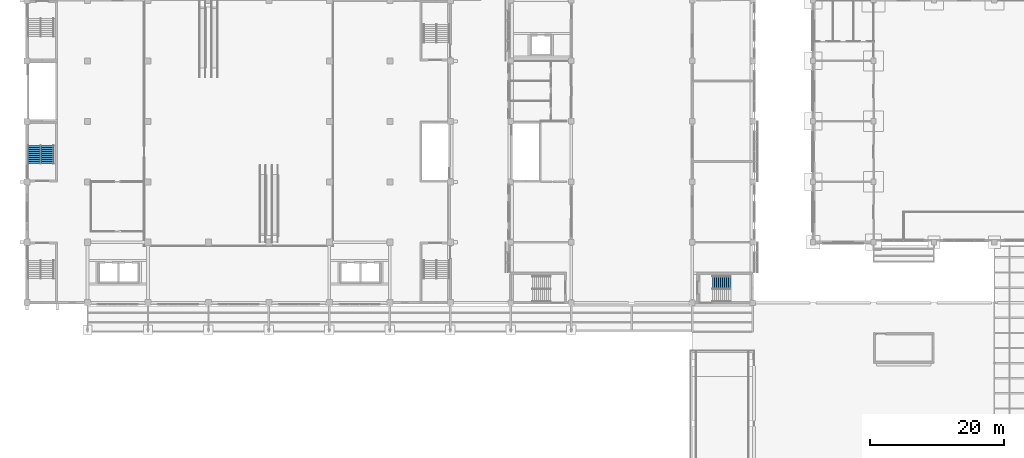
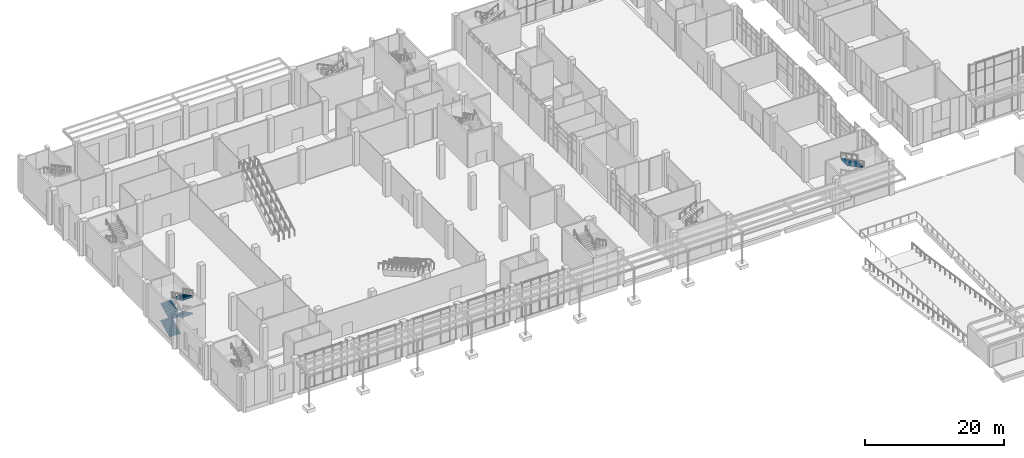
# One storey, part 70 of 86: 5 stair flights, 2 elements without a shape of their own.
"""IFC4 building model written with IfcOpenShell, lengths in metres."""

from ifc_helpers import new_model, si_unit, direction, frame, origin, place, context, subcontext, project, spatial, faceted_brep, material, type_object, element, aggregate, save


model = new_model("IFC4")

# Units and contexts
model_context = context("Model", 3, precision=1e-05, world=origin(), true_north=direction((0.0, 1.0)))
body_context = subcontext(model_context, "Body", "Model", "MODEL_VIEW")
ifc_project = project(units=[si_unit("LENGTHUNIT", "METRE"), si_unit("AREAUNIT", "SQUARE_METRE"), si_unit("VOLUMEUNIT", "CUBIC_METRE"), si_unit("PLANEANGLEUNIT", "RADIAN"), si_unit("MASSUNIT", "GRAM", prefix="KILO")], contexts=[model_context])

# Site, building, storey
site_placement = place(None, origin())
site = spatial("IfcSite", under=ifc_project, at=site_placement, CompositionType="ELEMENT")
building_placement = place(site_placement, origin())
building = spatial("IfcBuilding", under=site, at=building_placement, Name="Guidao Yard Department Store", CompositionType="ELEMENT")
storey_placement = place(building_placement, origin())
storey = spatial("IfcBuildingStorey", under=building, at=storey_placement, Name="L00", CompositionType="ELEMENT", Elevation=0.0)

# Stair, stair flights
ifc_material_1 = material(Name="Concrete C35", Category="concrete")
stair_type = type_object("IfcStairType", Name="Stair double-return four-flight 1800 wide 6.0 m rise", PredefinedType="DOUBLE_RETURN_STAIR", material=ifc_material_1)
stair_1_placement = place(storey_placement, origin())
stair_1 = element("IfcStair", 1, at=stair_1_placement, inside=storey, type_object=stair_type, Name="Stair A1 L00 to L01", PredefinedType="DOUBLE_RETURN_STAIR")
ifc_material_2 = material(Name="Concrete C35", Category="concrete")
stair_flight_type = type_object("IfcStairFlightType", Name="Stair flight RC straight 1800 wide 10 risers x 300 going C35", PredefinedType="STRAIGHT", material=ifc_material_2)
stair_flight_1_placement = place(storey_placement, frame((1.02490234375, 65.699951171875, 0.0), z_axis=(0.0, 0.0, 1.0), x_axis=(0.0, 1.0, 0.0)))
stair_flight_1 = element("IfcStairFlight", 2, at=stair_flight_1_placement, type_object=stair_flight_type, Name="SA1-L00 flight 1", NumberOfRisers=10, NumberOfTreads=9, PredefinedType="STRAIGHT", RiserHeight=0.15, TreadLength=0.3, context=body_context, shape_type="Brep", body=[
    faceted_brep([(0.0, 0.89990234375, 0.0), (0.0, 0.89990234375, 0.14990234375), (0.300048828125, 0.89990234375, 0.14990234375), (0.300048828125, 0.89990234375, 0.300048828125), (0.60009765625, 0.89990234375, 0.300048828125), (0.60009765625, 0.89990234375, 0.449951171875), (0.89990234375, 0.89990234375, 0.449951171875), (0.89990234375, 0.89990234375, 0.60009765625), (1.199951171875, 0.89990234375, 0.60009765625), (1.199951171875, 0.89990234375, 0.75), (1.5, 0.89990234375, 0.75), (1.5, 0.89990234375, 0.89990234375), (1.800048828125, 0.89990234375, 0.89990234375), (1.800048828125, 0.89990234375, 1.050048828125), (2.10009765625, 0.89990234375, 1.050048828125), (2.10009765625, 0.89990234375, 1.199951171875), (2.39990234375, 0.89990234375, 1.199951171875), (2.39990234375, 0.89990234375, 1.35009765625), (2.699951171875, 0.89990234375, 1.35009765625), (2.699951171875, 0.89990234375, 1.182373046875), (0.335205078125, 0.89990234375, 0.0), (0.335205078125, -0.89990234375, 0.0), (2.699951171875, -0.89990234375, 1.182373046875), (2.699951171875, -0.89990234375, 1.35009765625), (2.39990234375, -0.89990234375, 1.35009765625), (2.39990234375, -0.89990234375, 1.199951171875), (2.10009765625, -0.89990234375, 1.199951171875), (2.10009765625, -0.89990234375, 1.050048828125), (1.800048828125, -0.89990234375, 1.050048828125), (1.800048828125, -0.89990234375, 0.89990234375), (1.5, -0.89990234375, 0.89990234375), (1.5, -0.89990234375, 0.75), (1.199951171875, -0.89990234375, 0.75), (1.199951171875, -0.89990234375, 0.60009765625), (0.89990234375, -0.89990234375, 0.60009765625), (0.89990234375, -0.89990234375, 0.449951171875), (0.60009765625, -0.89990234375, 0.449951171875), (0.60009765625, -0.89990234375, 0.300048828125), (0.300048828125, -0.89990234375, 0.300048828125), (0.300048828125, -0.89990234375, 0.14990234375), (0.0, -0.89990234375, 0.14990234375), (0.0, -0.89990234375, 0.0), (0.0, 0.300048828125, 0.0), (0.0, 0.300048828125, 0.14990234375), (0.0, -0.300048828125, 0.0), (0.0, -0.300048828125, 0.14990234375), (0.300048828125, 0.300048828125, 0.14990234375), (0.300048828125, -0.300048828125, 0.14990234375), (0.300048828125, 0.300048828125, 0.300048828125), (0.300048828125, -0.300048828125, 0.300048828125), (0.60009765625, 0.300048828125, 0.300048828125), (0.60009765625, -0.300048828125, 0.300048828125), (0.60009765625, 0.300048828125, 0.449951171875), (0.60009765625, -0.300048828125, 0.449951171875), (0.89990234375, 0.300048828125, 0.449951171875), (0.89990234375, -0.300048828125, 0.449951171875), (0.89990234375, 0.300048828125, 0.60009765625), (0.89990234375, -0.300048828125, 0.60009765625), (1.199951171875, 0.300048828125, 0.60009765625), (1.199951171875, -0.300048828125, 0.60009765625), (1.199951171875, 0.300048828125, 0.75), (1.199951171875, -0.300048828125, 0.75), (1.5, 0.300048828125, 0.75), (1.5, -0.300048828125, 0.75), (1.5, 0.300048828125, 0.89990234375), (1.5, -0.300048828125, 0.89990234375), (1.800048828125, 0.300048828125, 0.89990234375), (1.800048828125, -0.300048828125, 0.89990234375), (1.800048828125, 0.300048828125, 1.050048828125), (1.800048828125, -0.300048828125, 1.050048828125), (2.10009765625, 0.300048828125, 1.050048828125), (2.10009765625, -0.300048828125, 1.050048828125), (2.10009765625, 0.300048828125, 1.199951171875), (2.10009765625, -0.300048828125, 1.199951171875), (2.39990234375, 0.300048828125, 1.199951171875), (2.39990234375, -0.300048828125, 1.199951171875), (2.39990234375, 0.300048828125, 1.35009765625), (2.39990234375, -0.300048828125, 1.35009765625), (2.699951171875, 0.300048828125, 1.35009765625), (2.699951171875, -0.300048828125, 1.35009765625), (2.699951171875, 0.300048828125, 1.182373046875), (2.699951171875, -0.300048828125, 1.182373046875), (0.335205078125, 0.300048828125, 0.0), (0.335205078125, -0.300048828125, 0.0)], [[[0, 1, 2, 3, 4, 5, 6, 7, 8, 9, 10, 11, 12, 13, 14, 15, 16, 17, 18, 19, 20]], [[21, 22, 23, 24, 25, 26, 27, 28, 29, 30, 31, 32, 33, 34, 35, 36, 37, 38, 39, 40, 41]], [[42, 43, 1, 0]], [[44, 45, 43, 42]], [[41, 40, 45, 44]], [[43, 46, 2, 1]], [[45, 47, 46, 43]], [[40, 39, 47, 45]], [[46, 48, 3, 2]], [[47, 49, 48, 46]], [[39, 38, 49, 47]], [[48, 50, 4, 3]], [[49, 51, 50, 48]], [[38, 37, 51, 49]], [[50, 52, 5, 4]], [[51, 53, 52, 50]], [[37, 36, 53, 51]], [[52, 54, 6, 5]], [[53, 55, 54, 52]], [[36, 35, 55, 53]], [[54, 56, 7, 6]], [[55, 57, 56, 54]], [[35, 34, 57, 55]], [[56, 58, 8, 7]], [[57, 59, 58, 56]], [[34, 33, 59, 57]], [[58, 60, 9, 8]], [[59, 61, 60, 58]], [[33, 32, 61, 59]], [[60, 62, 10, 9]], [[61, 63, 62, 60]], [[32, 31, 63, 61]], [[62, 64, 11, 10]], [[63, 65, 64, 62]], [[31, 30, 65, 63]], [[64, 66, 12, 11]], [[65, 67, 66, 64]], [[30, 29, 67, 65]], [[66, 68, 13, 12]], [[67, 69, 68, 66]], [[29, 28, 69, 67]], [[68, 70, 14, 13]], [[69, 71, 70, 68]], [[28, 27, 71, 69]], [[70, 72, 15, 14]], [[71, 73, 72, 70]], [[27, 26, 73, 71]], [[72, 74, 16, 15]], [[73, 75, 74, 72]], [[26, 25, 75, 73]], [[74, 76, 17, 16]], [[75, 77, 76, 74]], [[25, 24, 77, 75]], [[76, 78, 18, 17]], [[77, 79, 78, 76]], [[24, 23, 79, 77]], [[78, 80, 19, 18]], [[79, 81, 80, 78]], [[23, 22, 81, 79]], [[80, 82, 20, 19]], [[81, 83, 82, 80]], [[22, 21, 83, 81]], [[82, 42, 0, 20]], [[83, 44, 42, 82]], [[21, 41, 44, 83]]]),
])
stair_flight_2_placement = place(storey_placement, frame((3.074951171875, 68.39990234375, 1.5), z_axis=(0.0, 0.0, 1.0), x_axis=(0.0, -1.0, 0.0)))
stair_flight_2 = element("IfcStairFlight", 3, at=stair_flight_2_placement, type_object=stair_flight_type, Name="SA1-L00 flight 2", NumberOfRisers=10, NumberOfTreads=9, PredefinedType="STRAIGHT", RiserHeight=0.15, TreadLength=0.3, context=body_context, shape_type="Brep", body=[
    faceted_brep([(0.0, 0.89990234375, 0.0), (0.0, 0.89990234375, 0.14990234375), (0.300048828125, 0.89990234375, 0.14990234375), (0.300048828125, 0.89990234375, 0.300048828125), (0.60009765625, 0.89990234375, 0.300048828125), (0.60009765625, 0.89990234375, 0.449951171875), (0.89990234375, 0.89990234375, 0.449951171875), (0.89990234375, 0.89990234375, 0.60009765625), (1.199951171875, 0.89990234375, 0.60009765625), (1.199951171875, 0.89990234375, 0.75), (1.5, 0.89990234375, 0.75), (1.5, 0.89990234375, 0.89990234375), (1.800048828125, 0.89990234375, 0.89990234375), (1.800048828125, 0.89990234375, 1.050048828125), (2.10009765625, 0.89990234375, 1.050048828125), (2.10009765625, 0.89990234375, 1.199951171875), (2.39990234375, 0.89990234375, 1.199951171875), (2.39990234375, 0.89990234375, 1.35009765625), (2.699951171875, 0.89990234375, 1.35009765625), (2.699951171875, 0.89990234375, 1.182373046875), (0.335205078125, 0.89990234375, 0.0), (0.335205078125, -0.89990234375, 0.0), (2.699951171875, -0.89990234375, 1.182373046875), (2.699951171875, -0.89990234375, 1.35009765625), (2.39990234375, -0.89990234375, 1.35009765625), (2.39990234375, -0.89990234375, 1.199951171875), (2.10009765625, -0.89990234375, 1.199951171875), (2.10009765625, -0.89990234375, 1.050048828125), (1.800048828125, -0.89990234375, 1.050048828125), (1.800048828125, -0.89990234375, 0.89990234375), (1.5, -0.89990234375, 0.89990234375), (1.5, -0.89990234375, 0.75), (1.199951171875, -0.89990234375, 0.75), (1.199951171875, -0.89990234375, 0.60009765625), (0.89990234375, -0.89990234375, 0.60009765625), (0.89990234375, -0.89990234375, 0.449951171875), (0.60009765625, -0.89990234375, 0.449951171875), (0.60009765625, -0.89990234375, 0.300048828125), (0.300048828125, -0.89990234375, 0.300048828125), (0.300048828125, -0.89990234375, 0.14990234375), (0.0, -0.89990234375, 0.14990234375), (0.0, -0.89990234375, 0.0), (0.0, 0.300048828125, 0.0), (0.0, 0.300048828125, 0.14990234375), (0.0, -0.300048828125, 0.0), (0.0, -0.300048828125, 0.14990234375), (0.300048828125, 0.300048828125, 0.14990234375), (0.300048828125, -0.300048828125, 0.14990234375), (0.300048828125, 0.300048828125, 0.300048828125), (0.300048828125, -0.300048828125, 0.300048828125), (0.60009765625, 0.300048828125, 0.300048828125), (0.60009765625, -0.300048828125, 0.300048828125), (0.60009765625, 0.300048828125, 0.449951171875), (0.60009765625, -0.300048828125, 0.449951171875), (0.89990234375, 0.300048828125, 0.449951171875), (0.89990234375, -0.300048828125, 0.449951171875), (0.89990234375, 0.300048828125, 0.60009765625), (0.89990234375, -0.300048828125, 0.60009765625), (1.199951171875, 0.300048828125, 0.60009765625), (1.199951171875, -0.300048828125, 0.60009765625), (1.199951171875, 0.300048828125, 0.75), (1.199951171875, -0.300048828125, 0.75), (1.5, 0.300048828125, 0.75), (1.5, -0.300048828125, 0.75), (1.5, 0.300048828125, 0.89990234375), (1.5, -0.300048828125, 0.89990234375), (1.800048828125, 0.300048828125, 0.89990234375), (1.800048828125, -0.300048828125, 0.89990234375), (1.800048828125, 0.300048828125, 1.050048828125), (1.800048828125, -0.300048828125, 1.050048828125), (2.10009765625, 0.300048828125, 1.050048828125), (2.10009765625, -0.300048828125, 1.050048828125), (2.10009765625, 0.300048828125, 1.199951171875), (2.10009765625, -0.300048828125, 1.199951171875), (2.39990234375, 0.300048828125, 1.199951171875), (2.39990234375, -0.300048828125, 1.199951171875), (2.39990234375, 0.300048828125, 1.35009765625), (2.39990234375, -0.300048828125, 1.35009765625), (2.699951171875, 0.300048828125, 1.35009765625), (2.699951171875, -0.300048828125, 1.35009765625), (2.699951171875, 0.300048828125, 1.182373046875), (2.699951171875, -0.300048828125, 1.182373046875), (0.335205078125, 0.300048828125, 0.0), (0.335205078125, -0.300048828125, 0.0)], [[[0, 1, 2, 3, 4, 5, 6, 7, 8, 9, 10, 11, 12, 13, 14, 15, 16, 17, 18, 19, 20]], [[21, 22, 23, 24, 25, 26, 27, 28, 29, 30, 31, 32, 33, 34, 35, 36, 37, 38, 39, 40, 41]], [[42, 43, 1, 0]], [[44, 45, 43, 42]], [[41, 40, 45, 44]], [[43, 46, 2, 1]], [[45, 47, 46, 43]], [[40, 39, 47, 45]], [[46, 48, 3, 2]], [[47, 49, 48, 46]], [[39, 38, 49, 47]], [[48, 50, 4, 3]], [[49, 51, 50, 48]], [[38, 37, 51, 49]], [[50, 52, 5, 4]], [[51, 53, 52, 50]], [[37, 36, 53, 51]], [[52, 54, 6, 5]], [[53, 55, 54, 52]], [[36, 35, 55, 53]], [[54, 56, 7, 6]], [[55, 57, 56, 54]], [[35, 34, 57, 55]], [[56, 58, 8, 7]], [[57, 59, 58, 56]], [[34, 33, 59, 57]], [[58, 60, 9, 8]], [[59, 61, 60, 58]], [[33, 32, 61, 59]], [[60, 62, 10, 9]], [[61, 63, 62, 60]], [[32, 31, 63, 61]], [[62, 64, 11, 10]], [[63, 65, 64, 62]], [[31, 30, 65, 63]], [[64, 66, 12, 11]], [[65, 67, 66, 64]], [[30, 29, 67, 65]], [[66, 68, 13, 12]], [[67, 69, 68, 66]], [[29, 28, 69, 67]], [[68, 70, 14, 13]], [[69, 71, 70, 68]], [[28, 27, 71, 69]], [[70, 72, 15, 14]], [[71, 73, 72, 70]], [[27, 26, 73, 71]], [[72, 74, 16, 15]], [[73, 75, 74, 72]], [[26, 25, 75, 73]], [[74, 76, 17, 16]], [[75, 77, 76, 74]], [[25, 24, 77, 75]], [[76, 78, 18, 17]], [[77, 79, 78, 76]], [[24, 23, 79, 77]], [[78, 80, 19, 18]], [[79, 81, 80, 78]], [[23, 22, 81, 79]], [[80, 82, 20, 19]], [[81, 83, 82, 80]], [[22, 21, 83, 81]], [[82, 42, 0, 20]], [[83, 44, 42, 82]], [[21, 41, 44, 83]]]),
])
stair_flight_3_placement = place(storey_placement, frame((1.02490234375, 65.699951171875, 3.0), z_axis=(0.0, 0.0, 1.0), x_axis=(0.0, 1.0, 0.0)))
stair_flight_3 = element("IfcStairFlight", 4, at=stair_flight_3_placement, type_object=stair_flight_type, Name="SA1-L00 flight 3", NumberOfRisers=10, NumberOfTreads=9, PredefinedType="STRAIGHT", RiserHeight=0.15, TreadLength=0.3, context=body_context, shape_type="Brep", body=[
    faceted_brep([(0.0, 0.89990234375, 0.0), (0.0, 0.89990234375, 0.14990234375), (0.300048828125, 0.89990234375, 0.14990234375), (0.300048828125, 0.89990234375, 0.300048828125), (0.60009765625, 0.89990234375, 0.300048828125), (0.60009765625, 0.89990234375, 0.449951171875), (0.89990234375, 0.89990234375, 0.449951171875), (0.89990234375, 0.89990234375, 0.60009765625), (1.199951171875, 0.89990234375, 0.60009765625), (1.199951171875, 0.89990234375, 0.75), (1.5, 0.89990234375, 0.75), (1.5, 0.89990234375, 0.89990234375), (1.800048828125, 0.89990234375, 0.89990234375), (1.800048828125, 0.89990234375, 1.050048828125), (2.10009765625, 0.89990234375, 1.050048828125), (2.10009765625, 0.89990234375, 1.199951171875), (2.39990234375, 0.89990234375, 1.199951171875), (2.39990234375, 0.89990234375, 1.35009765625), (2.699951171875, 0.89990234375, 1.35009765625), (2.699951171875, 0.89990234375, 1.182373046875), (0.335205078125, 0.89990234375, 0.0), (0.335205078125, -0.89990234375, 0.0), (2.699951171875, -0.89990234375, 1.182373046875), (2.699951171875, -0.89990234375, 1.35009765625), (2.39990234375, -0.89990234375, 1.35009765625), (2.39990234375, -0.89990234375, 1.199951171875), (2.10009765625, -0.89990234375, 1.199951171875), (2.10009765625, -0.89990234375, 1.050048828125), (1.800048828125, -0.89990234375, 1.050048828125), (1.800048828125, -0.89990234375, 0.89990234375), (1.5, -0.89990234375, 0.89990234375), (1.5, -0.89990234375, 0.75), (1.199951171875, -0.89990234375, 0.75), (1.199951171875, -0.89990234375, 0.60009765625), (0.89990234375, -0.89990234375, 0.60009765625), (0.89990234375, -0.89990234375, 0.449951171875), (0.60009765625, -0.89990234375, 0.449951171875), (0.60009765625, -0.89990234375, 0.300048828125), (0.300048828125, -0.89990234375, 0.300048828125), (0.300048828125, -0.89990234375, 0.14990234375), (0.0, -0.89990234375, 0.14990234375), (0.0, -0.89990234375, 0.0), (0.0, 0.300048828125, 0.0), (0.0, 0.300048828125, 0.14990234375), (0.0, -0.300048828125, 0.0), (0.0, -0.300048828125, 0.14990234375), (0.300048828125, 0.300048828125, 0.14990234375), (0.300048828125, -0.300048828125, 0.14990234375), (0.300048828125, 0.300048828125, 0.300048828125), (0.300048828125, -0.300048828125, 0.300048828125), (0.60009765625, 0.300048828125, 0.300048828125), (0.60009765625, -0.300048828125, 0.300048828125), (0.60009765625, 0.300048828125, 0.449951171875), (0.60009765625, -0.300048828125, 0.449951171875), (0.89990234375, 0.300048828125, 0.449951171875), (0.89990234375, -0.300048828125, 0.449951171875), (0.89990234375, 0.300048828125, 0.60009765625), (0.89990234375, -0.300048828125, 0.60009765625), (1.199951171875, 0.300048828125, 0.60009765625), (1.199951171875, -0.300048828125, 0.60009765625), (1.199951171875, 0.300048828125, 0.75), (1.199951171875, -0.300048828125, 0.75), (1.5, 0.300048828125, 0.75), (1.5, -0.300048828125, 0.75), (1.5, 0.300048828125, 0.89990234375), (1.5, -0.300048828125, 0.89990234375), (1.800048828125, 0.300048828125, 0.89990234375), (1.800048828125, -0.300048828125, 0.89990234375), (1.800048828125, 0.300048828125, 1.050048828125), (1.800048828125, -0.300048828125, 1.050048828125), (2.10009765625, 0.300048828125, 1.050048828125), (2.10009765625, -0.300048828125, 1.050048828125), (2.10009765625, 0.300048828125, 1.199951171875), (2.10009765625, -0.300048828125, 1.199951171875), (2.39990234375, 0.300048828125, 1.199951171875), (2.39990234375, -0.300048828125, 1.199951171875), (2.39990234375, 0.300048828125, 1.35009765625), (2.39990234375, -0.300048828125, 1.35009765625), (2.699951171875, 0.300048828125, 1.35009765625), (2.699951171875, -0.300048828125, 1.35009765625), (2.699951171875, 0.300048828125, 1.182373046875), (2.699951171875, -0.300048828125, 1.182373046875), (0.335205078125, 0.300048828125, 0.0), (0.335205078125, -0.300048828125, 0.0)], [[[0, 1, 2, 3, 4, 5, 6, 7, 8, 9, 10, 11, 12, 13, 14, 15, 16, 17, 18, 19, 20]], [[21, 22, 23, 24, 25, 26, 27, 28, 29, 30, 31, 32, 33, 34, 35, 36, 37, 38, 39, 40, 41]], [[42, 43, 1, 0]], [[44, 45, 43, 42]], [[41, 40, 45, 44]], [[43, 46, 2, 1]], [[45, 47, 46, 43]], [[40, 39, 47, 45]], [[46, 48, 3, 2]], [[47, 49, 48, 46]], [[39, 38, 49, 47]], [[48, 50, 4, 3]], [[49, 51, 50, 48]], [[38, 37, 51, 49]], [[50, 52, 5, 4]], [[51, 53, 52, 50]], [[37, 36, 53, 51]], [[52, 54, 6, 5]], [[53, 55, 54, 52]], [[36, 35, 55, 53]], [[54, 56, 7, 6]], [[55, 57, 56, 54]], [[35, 34, 57, 55]], [[56, 58, 8, 7]], [[57, 59, 58, 56]], [[34, 33, 59, 57]], [[58, 60, 9, 8]], [[59, 61, 60, 58]], [[33, 32, 61, 59]], [[60, 62, 10, 9]], [[61, 63, 62, 60]], [[32, 31, 63, 61]], [[62, 64, 11, 10]], [[63, 65, 64, 62]], [[31, 30, 65, 63]], [[64, 66, 12, 11]], [[65, 67, 66, 64]], [[30, 29, 67, 65]], [[66, 68, 13, 12]], [[67, 69, 68, 66]], [[29, 28, 69, 67]], [[68, 70, 14, 13]], [[69, 71, 70, 68]], [[28, 27, 71, 69]], [[70, 72, 15, 14]], [[71, 73, 72, 70]], [[27, 26, 73, 71]], [[72, 74, 16, 15]], [[73, 75, 74, 72]], [[26, 25, 75, 73]], [[74, 76, 17, 16]], [[75, 77, 76, 74]], [[25, 24, 77, 75]], [[76, 78, 18, 17]], [[77, 79, 78, 76]], [[24, 23, 79, 77]], [[78, 80, 19, 18]], [[79, 81, 80, 78]], [[23, 22, 81, 79]], [[80, 82, 20, 19]], [[81, 83, 82, 80]], [[22, 21, 83, 81]], [[82, 42, 0, 20]], [[83, 44, 42, 82]], [[21, 41, 44, 83]]]),
])
stair_flight_4_placement = place(storey_placement, frame((3.074951171875, 68.39990234375, 4.5), z_axis=(0.0, 0.0, 1.0), x_axis=(0.0, -1.0, 0.0)))
stair_flight_4 = element("IfcStairFlight", 5, at=stair_flight_4_placement, type_object=stair_flight_type, Name="SA1-L00 flight 4", NumberOfRisers=10, NumberOfTreads=9, PredefinedType="STRAIGHT", RiserHeight=0.15, TreadLength=0.3, context=body_context, shape_type="Brep", body=[
    faceted_brep([(0.0, 0.89990234375, 0.0), (0.0, 0.89990234375, 0.14990234375), (0.300048828125, 0.89990234375, 0.14990234375), (0.300048828125, 0.89990234375, 0.300048828125), (0.60009765625, 0.89990234375, 0.300048828125), (0.60009765625, 0.89990234375, 0.449951171875), (0.89990234375, 0.89990234375, 0.449951171875), (0.89990234375, 0.89990234375, 0.60009765625), (1.199951171875, 0.89990234375, 0.60009765625), (1.199951171875, 0.89990234375, 0.75), (1.5, 0.89990234375, 0.75), (1.5, 0.89990234375, 0.89990234375), (1.800048828125, 0.89990234375, 0.89990234375), (1.800048828125, 0.89990234375, 1.050048828125), (2.10009765625, 0.89990234375, 1.050048828125), (2.10009765625, 0.89990234375, 1.199951171875), (2.39990234375, 0.89990234375, 1.199951171875), (2.39990234375, 0.89990234375, 1.35009765625), (2.699951171875, 0.89990234375, 1.35009765625), (2.699951171875, 0.89990234375, 1.182373046875), (0.335205078125, 0.89990234375, 0.0), (0.335205078125, -0.89990234375, 0.0), (2.699951171875, -0.89990234375, 1.182373046875), (2.699951171875, -0.89990234375, 1.35009765625), (2.39990234375, -0.89990234375, 1.35009765625), (2.39990234375, -0.89990234375, 1.199951171875), (2.10009765625, -0.89990234375, 1.199951171875), (2.10009765625, -0.89990234375, 1.050048828125), (1.800048828125, -0.89990234375, 1.050048828125), (1.800048828125, -0.89990234375, 0.89990234375), (1.5, -0.89990234375, 0.89990234375), (1.5, -0.89990234375, 0.75), (1.199951171875, -0.89990234375, 0.75), (1.199951171875, -0.89990234375, 0.60009765625), (0.89990234375, -0.89990234375, 0.60009765625), (0.89990234375, -0.89990234375, 0.449951171875), (0.60009765625, -0.89990234375, 0.449951171875), (0.60009765625, -0.89990234375, 0.300048828125), (0.300048828125, -0.89990234375, 0.300048828125), (0.300048828125, -0.89990234375, 0.14990234375), (0.0, -0.89990234375, 0.14990234375), (0.0, -0.89990234375, 0.0), (0.0, 0.300048828125, 0.0), (0.0, 0.300048828125, 0.14990234375), (0.0, -0.300048828125, 0.0), (0.0, -0.300048828125, 0.14990234375), (0.300048828125, 0.300048828125, 0.14990234375), (0.300048828125, -0.300048828125, 0.14990234375), (0.300048828125, 0.300048828125, 0.300048828125), (0.300048828125, -0.300048828125, 0.300048828125), (0.60009765625, 0.300048828125, 0.300048828125), (0.60009765625, -0.300048828125, 0.300048828125), (0.60009765625, 0.300048828125, 0.449951171875), (0.60009765625, -0.300048828125, 0.449951171875), (0.89990234375, 0.300048828125, 0.449951171875), (0.89990234375, -0.300048828125, 0.449951171875), (0.89990234375, 0.300048828125, 0.60009765625), (0.89990234375, -0.300048828125, 0.60009765625), (1.199951171875, 0.300048828125, 0.60009765625), (1.199951171875, -0.300048828125, 0.60009765625), (1.199951171875, 0.300048828125, 0.75), (1.199951171875, -0.300048828125, 0.75), (1.5, 0.300048828125, 0.75), (1.5, -0.300048828125, 0.75), (1.5, 0.300048828125, 0.89990234375), (1.5, -0.300048828125, 0.89990234375), (1.800048828125, 0.300048828125, 0.89990234375), (1.800048828125, -0.300048828125, 0.89990234375), (1.800048828125, 0.300048828125, 1.050048828125), (1.800048828125, -0.300048828125, 1.050048828125), (2.10009765625, 0.300048828125, 1.050048828125), (2.10009765625, -0.300048828125, 1.050048828125), (2.10009765625, 0.300048828125, 1.199951171875), (2.10009765625, -0.300048828125, 1.199951171875), (2.39990234375, 0.300048828125, 1.199951171875), (2.39990234375, -0.300048828125, 1.199951171875), (2.39990234375, 0.300048828125, 1.35009765625), (2.39990234375, -0.300048828125, 1.35009765625), (2.699951171875, 0.300048828125, 1.35009765625), (2.699951171875, -0.300048828125, 1.35009765625), (2.699951171875, 0.300048828125, 1.182373046875), (2.699951171875, -0.300048828125, 1.182373046875), (0.335205078125, 0.300048828125, 0.0), (0.335205078125, -0.300048828125, 0.0)], [[[0, 1, 2, 3, 4, 5, 6, 7, 8, 9, 10, 11, 12, 13, 14, 15, 16, 17, 18, 19, 20]], [[21, 22, 23, 24, 25, 26, 27, 28, 29, 30, 31, 32, 33, 34, 35, 36, 37, 38, 39, 40, 41]], [[42, 43, 1, 0]], [[44, 45, 43, 42]], [[41, 40, 45, 44]], [[43, 46, 2, 1]], [[45, 47, 46, 43]], [[40, 39, 47, 45]], [[46, 48, 3, 2]], [[47, 49, 48, 46]], [[39, 38, 49, 47]], [[48, 50, 4, 3]], [[49, 51, 50, 48]], [[38, 37, 51, 49]], [[50, 52, 5, 4]], [[51, 53, 52, 50]], [[37, 36, 53, 51]], [[52, 54, 6, 5]], [[53, 55, 54, 52]], [[36, 35, 55, 53]], [[54, 56, 7, 6]], [[55, 57, 56, 54]], [[35, 34, 57, 55]], [[56, 58, 8, 7]], [[57, 59, 58, 56]], [[34, 33, 59, 57]], [[58, 60, 9, 8]], [[59, 61, 60, 58]], [[33, 32, 61, 59]], [[60, 62, 10, 9]], [[61, 63, 62, 60]], [[32, 31, 63, 61]], [[62, 64, 11, 10]], [[63, 65, 64, 62]], [[31, 30, 65, 63]], [[64, 66, 12, 11]], [[65, 67, 66, 64]], [[30, 29, 67, 65]], [[66, 68, 13, 12]], [[67, 69, 68, 66]], [[29, 28, 69, 67]], [[68, 70, 14, 13]], [[69, 71, 70, 68]], [[28, 27, 71, 69]], [[70, 72, 15, 14]], [[71, 73, 72, 70]], [[27, 26, 73, 71]], [[72, 74, 16, 15]], [[73, 75, 74, 72]], [[26, 25, 75, 73]], [[74, 76, 17, 16]], [[75, 77, 76, 74]], [[25, 24, 77, 75]], [[76, 78, 18, 17]], [[77, 79, 78, 76]], [[24, 23, 79, 77]], [[78, 80, 19, 18]], [[79, 81, 80, 78]], [[23, 22, 81, 79]], [[80, 82, 20, 19]], [[81, 83, 82, 80]], [[22, 21, 83, 81]], [[82, 42, 0, 20]], [[83, 44, 42, 82]], [[21, 41, 44, 83]]]),
])
aggregate(stair_1, [stair_flight_1, stair_flight_2, stair_flight_3, stair_flight_4])

# Stair, stair flight
stair_2_placement = place(storey_placement, origin())
stair_2 = element("IfcStair", 6, at=stair_2_placement, inside=storey, type_object=stair_type, Name="Stair G3 L00 to L01", PredefinedType="DOUBLE_RETURN_STAIR")
stair_flight_5_placement = place(storey_placement, frame((104.75, 48.074951171875, 4.5), z_axis=(0.0, 0.0, 1.0), x_axis=(-1.0, 0.0, 0.0)))
stair_flight_5 = element("IfcStairFlight", 7, at=stair_flight_5_placement, type_object=stair_flight_type, Name="SG3-L00 flight 4", NumberOfRisers=10, NumberOfTreads=9, PredefinedType="STRAIGHT", RiserHeight=0.15, TreadLength=0.3, context=body_context, shape_type="Brep", body=[
    faceted_brep([(0.0, 0.89990234375, 0.0), (0.0, 0.89990234375, 0.14990234375), (0.300048828125, 0.89990234375, 0.14990234375), (0.300048828125, 0.89990234375, 0.300048828125), (0.60009765625, 0.89990234375, 0.300048828125), (0.60009765625, 0.89990234375, 0.449951171875), (0.89990234375, 0.89990234375, 0.449951171875), (0.89990234375, 0.89990234375, 0.60009765625), (1.199951171875, 0.89990234375, 0.60009765625), (1.199951171875, 0.89990234375, 0.75), (1.5, 0.89990234375, 0.75), (1.5, 0.89990234375, 0.89990234375), (1.800048828125, 0.89990234375, 0.89990234375), (1.800048828125, 0.89990234375, 1.050048828125), (2.10009765625, 0.89990234375, 1.050048828125), (2.10009765625, 0.89990234375, 1.199951171875), (2.39990234375, 0.89990234375, 1.199951171875), (2.39990234375, 0.89990234375, 1.35009765625), (2.699951171875, 0.89990234375, 1.35009765625), (2.699951171875, 0.89990234375, 1.182373046875), (0.335205078125, 0.89990234375, 0.0), (0.335205078125, -0.89990234375, 0.0), (2.699951171875, -0.89990234375, 1.182373046875), (2.699951171875, -0.89990234375, 1.35009765625), (2.39990234375, -0.89990234375, 1.35009765625), (2.39990234375, -0.89990234375, 1.199951171875), (2.10009765625, -0.89990234375, 1.199951171875), (2.10009765625, -0.89990234375, 1.050048828125), (1.800048828125, -0.89990234375, 1.050048828125), (1.800048828125, -0.89990234375, 0.89990234375), (1.5, -0.89990234375, 0.89990234375), (1.5, -0.89990234375, 0.75), (1.199951171875, -0.89990234375, 0.75), (1.199951171875, -0.89990234375, 0.60009765625), (0.89990234375, -0.89990234375, 0.60009765625), (0.89990234375, -0.89990234375, 0.449951171875), (0.60009765625, -0.89990234375, 0.449951171875), (0.60009765625, -0.89990234375, 0.300048828125), (0.300048828125, -0.89990234375, 0.300048828125), (0.300048828125, -0.89990234375, 0.14990234375), (0.0, -0.89990234375, 0.14990234375), (0.0, -0.89990234375, 0.0), (0.0, 0.300048828125, 0.0), (0.0, 0.300048828125, 0.14990234375), (0.0, -0.300048828125, 0.0), (0.0, -0.300048828125, 0.14990234375), (0.300048828125, 0.300048828125, 0.14990234375), (0.300048828125, -0.300048828125, 0.14990234375), (0.300048828125, 0.300048828125, 0.300048828125), (0.300048828125, -0.300048828125, 0.300048828125), (0.60009765625, 0.300048828125, 0.300048828125), (0.60009765625, -0.300048828125, 0.300048828125), (0.60009765625, 0.300048828125, 0.449951171875), (0.60009765625, -0.300048828125, 0.449951171875), (0.89990234375, 0.300048828125, 0.449951171875), (0.89990234375, -0.300048828125, 0.449951171875), (0.89990234375, 0.300048828125, 0.60009765625), (0.89990234375, -0.300048828125, 0.60009765625), (1.199951171875, 0.300048828125, 0.60009765625), (1.199951171875, -0.300048828125, 0.60009765625), (1.199951171875, 0.300048828125, 0.75), (1.199951171875, -0.300048828125, 0.75), (1.5, 0.300048828125, 0.75), (1.5, -0.300048828125, 0.75), (1.5, 0.300048828125, 0.89990234375), (1.5, -0.300048828125, 0.89990234375), (1.800048828125, 0.300048828125, 0.89990234375), (1.800048828125, -0.300048828125, 0.89990234375), (1.800048828125, 0.300048828125, 1.050048828125), (1.800048828125, -0.300048828125, 1.050048828125), (2.10009765625, 0.300048828125, 1.050048828125), (2.10009765625, -0.300048828125, 1.050048828125), (2.10009765625, 0.300048828125, 1.199951171875), (2.10009765625, -0.300048828125, 1.199951171875), (2.39990234375, 0.300048828125, 1.199951171875), (2.39990234375, -0.300048828125, 1.199951171875), (2.39990234375, 0.300048828125, 1.35009765625), (2.39990234375, -0.300048828125, 1.35009765625), (2.699951171875, 0.300048828125, 1.35009765625), (2.699951171875, -0.300048828125, 1.35009765625), (2.699951171875, 0.300048828125, 1.182373046875), (2.699951171875, -0.300048828125, 1.182373046875), (0.335205078125, 0.300048828125, 0.0), (0.335205078125, -0.300048828125, 0.0)], [[[0, 1, 2, 3, 4, 5, 6, 7, 8, 9, 10, 11, 12, 13, 14, 15, 16, 17, 18, 19, 20]], [[21, 22, 23, 24, 25, 26, 27, 28, 29, 30, 31, 32, 33, 34, 35, 36, 37, 38, 39, 40, 41]], [[42, 43, 1, 0]], [[44, 45, 43, 42]], [[41, 40, 45, 44]], [[43, 46, 2, 1]], [[45, 47, 46, 43]], [[40, 39, 47, 45]], [[46, 48, 3, 2]], [[47, 49, 48, 46]], [[39, 38, 49, 47]], [[48, 50, 4, 3]], [[49, 51, 50, 48]], [[38, 37, 51, 49]], [[50, 52, 5, 4]], [[51, 53, 52, 50]], [[37, 36, 53, 51]], [[52, 54, 6, 5]], [[53, 55, 54, 52]], [[36, 35, 55, 53]], [[54, 56, 7, 6]], [[55, 57, 56, 54]], [[35, 34, 57, 55]], [[56, 58, 8, 7]], [[57, 59, 58, 56]], [[34, 33, 59, 57]], [[58, 60, 9, 8]], [[59, 61, 60, 58]], [[33, 32, 61, 59]], [[60, 62, 10, 9]], [[61, 63, 62, 60]], [[32, 31, 63, 61]], [[62, 64, 11, 10]], [[63, 65, 64, 62]], [[31, 30, 65, 63]], [[64, 66, 12, 11]], [[65, 67, 66, 64]], [[30, 29, 67, 65]], [[66, 68, 13, 12]], [[67, 69, 68, 66]], [[29, 28, 69, 67]], [[68, 70, 14, 13]], [[69, 71, 70, 68]], [[28, 27, 71, 69]], [[70, 72, 15, 14]], [[71, 73, 72, 70]], [[27, 26, 73, 71]], [[72, 74, 16, 15]], [[73, 75, 74, 72]], [[26, 25, 75, 73]], [[74, 76, 17, 16]], [[75, 77, 76, 74]], [[25, 24, 77, 75]], [[76, 78, 18, 17]], [[77, 79, 78, 76]], [[24, 23, 79, 77]], [[78, 80, 19, 18]], [[79, 81, 80, 78]], [[23, 22, 81, 79]], [[80, 82, 20, 19]], [[81, 83, 82, 80]], [[22, 21, 83, 81]], [[82, 42, 0, 20]], [[83, 44, 42, 82]], [[21, 41, 44, 83]]]),
])
aggregate(stair_2, [stair_flight_5])

save(model, "model.ifc")
